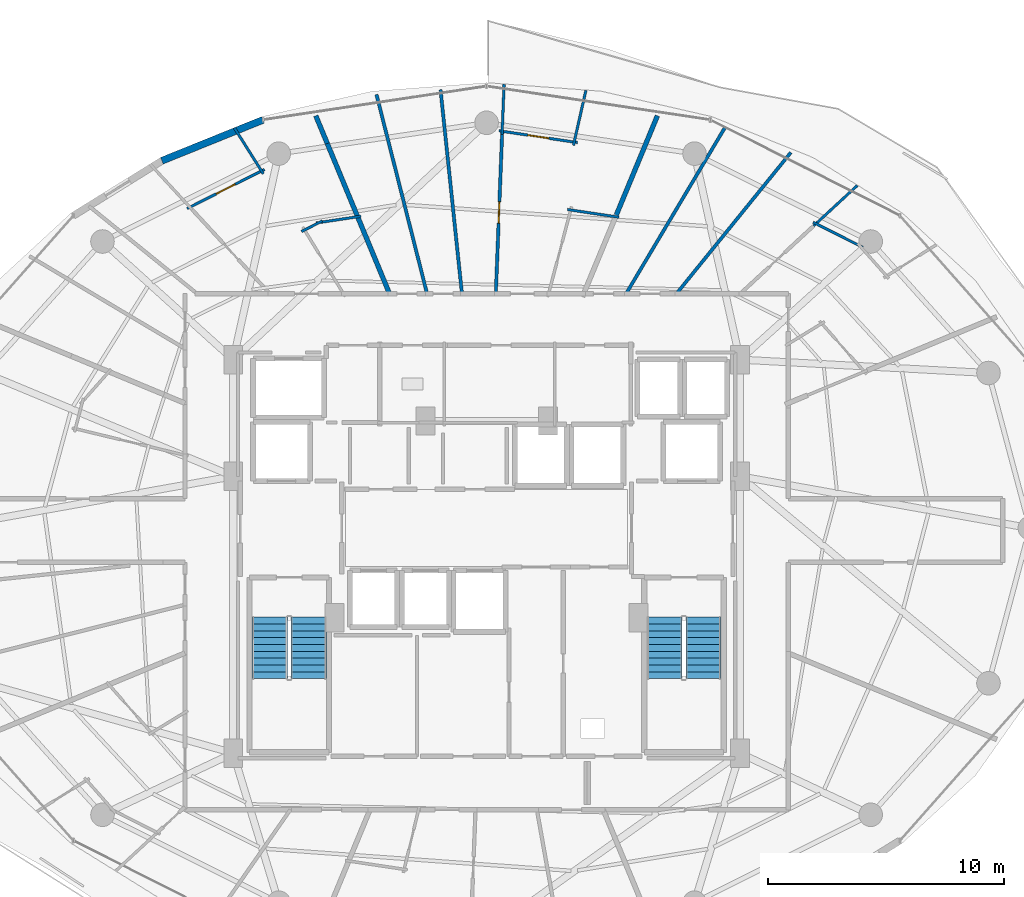
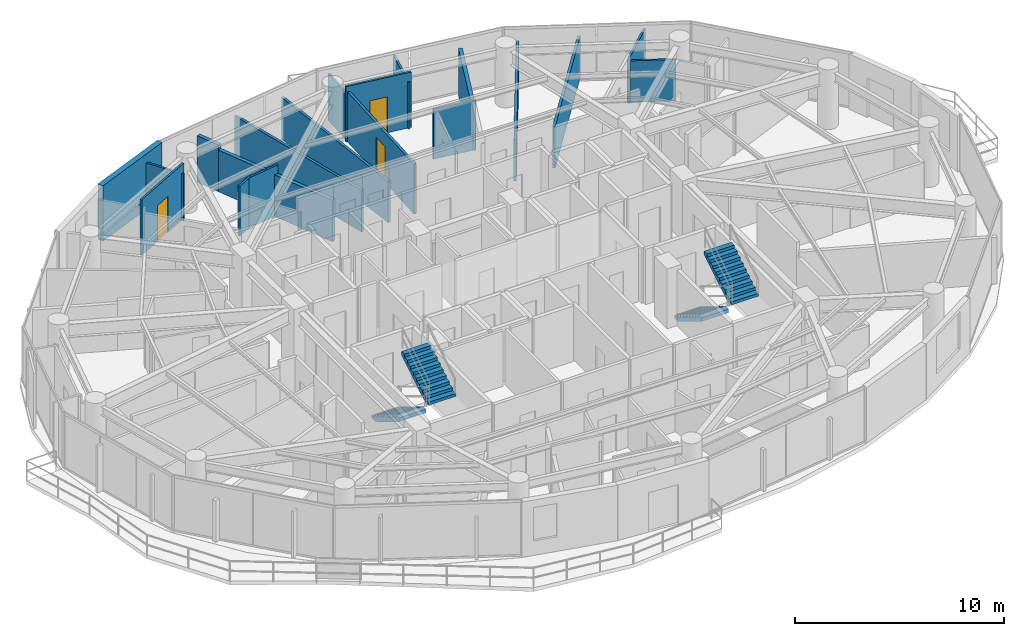
# One storey, part 25 of 28: 19 walls, 4 stair flights, 3 doors, 3 openings, 2 elements without a shape of their own.
"""IFC4 building model written with IfcOpenShell, lengths in metres."""

import ifcopenshell
import ifcopenshell.guid

model = None  # the IFC model being written
_history = None  # IfcOwnerHistory: only IFC2X3 demands one
_inside = {}  # id of a spatial element -> (the spatial element, [elements in it])
_under = {}  # id of a project, library or spatial element -> (it, [spatial elements below it])
_declared = {}  # id of a project -> (the project, [libraries it declares])
_typed = {}  # id of a type object -> (the type object, [elements of that type])
_made_of = {}  # id of a material, layer set ... -> (it, [elements and type objects made of it])


def new_model(schema):
    """Start an empty IFC model of exactly this schema.

    Asked for "IFC4X3", IfcOpenShell would pick the latest addendum, in which some entities
    have other attributes; the version numbers below select the first issue.
    IFC2X3 requires an IfcOwnerHistory on every rooted entity: one is made here for all.
    """
    global model, _history
    if schema == "IFC4X3":
        model = ifcopenshell.file(schema_version=(4, 3, 0, 0))
    else:
        model = ifcopenshell.file(schema=schema)
    _inside.clear()
    _under.clear()
    _declared.clear()
    _typed.clear()
    _made_of.clear()
    _history = None
    if model.schema == "IFC2X3":
        org = make("IfcOrganization", Name="unknown")
        user = make(
            "IfcPersonAndOrganization",
            ThePerson=make("IfcPerson", FamilyName="unknown"),
            TheOrganization=org,
        )
        app = make(
            "IfcApplication",
            ApplicationDeveloper=org,
            Version="unknown",
            ApplicationFullName="unknown",
            ApplicationIdentifier="unknown",
        )
        _history = make(
            "IfcOwnerHistory",
            OwningUser=user,
            OwningApplication=app,
            ChangeAction="ADDED",
            CreationDate=0,
        )
    return model


def make(cls, **values):
    """One entity of the class cls with the attributes given. An attribute that is None is left unset."""
    return model.create_entity(
        cls, **{name: value for name, value in values.items() if value is not None}
    )


def rooted(cls, **values):
    """An entity with a GlobalId (a new one), such as an element, a storey or a relation."""
    return make(cls, GlobalId=ifcopenshell.guid.new(), OwnerHistory=_history, **values)


def si_unit(unit_type, name, prefix=None):
    """IfcSIUnit, for example si_unit("LENGTHUNIT", "METRE", prefix="MILLI")."""
    return make("IfcSIUnit", UnitType=unit_type, Prefix=prefix, Name=name)


def assignment(units):
    """IfcUnitAssignment: the units of a project."""
    return None if units is None else make("IfcUnitAssignment", Units=units)


def point(xyz):
    """IfcCartesianPoint."""
    return None if xyz is None else make("IfcCartesianPoint", Coordinates=xyz)


def direction(xyz):
    """IfcDirection."""
    return None if xyz is None else make("IfcDirection", DirectionRatios=xyz)


def frame(location, z_axis=None, x_axis=None):
    """IfcAxis2Placement3D, a coordinate frame: its origin and axes. An axis left out is left unset."""
    return make(
        "IfcAxis2Placement3D",
        Location=point(location),
        Axis=direction(z_axis),
        RefDirection=direction(x_axis),
    )


def frame_2d(location, x_axis=None):
    """IfcAxis2Placement2D, a coordinate frame in the plane: its origin and x axis."""
    return make(
        "IfcAxis2Placement2D", Location=point(location), RefDirection=direction(x_axis)
    )


def origin():
    """The frame at (0, 0, 0) with its axes left unset."""
    return frame((0.0, 0.0, 0.0))


def place(relative_to, where):
    """IfcLocalPlacement: puts the frame where relative to a parent placement (None: the world)."""
    return make(
        "IfcLocalPlacement", PlacementRelTo=relative_to, RelativePlacement=where
    )


def context(
    kind, dimensions, precision=None, world=None, true_north=None, identifier=None
):
    """IfcGeometricRepresentationContext, for example the 3D "Model" context."""
    return make(
        "IfcGeometricRepresentationContext",
        ContextIdentifier=identifier,
        ContextType=kind,
        CoordinateSpaceDimension=dimensions,
        Precision=precision,
        WorldCoordinateSystem=world,
        TrueNorth=true_north,
    )


def subcontext(parent, identifier, kind, view, scale=None):
    """IfcGeometricRepresentationSubContext, for example "Body" below "Model"."""
    return make(
        "IfcGeometricRepresentationSubContext",
        ContextIdentifier=identifier,
        ContextType=kind,
        ParentContext=parent,
        TargetScale=scale,
        TargetView=view,
    )


def project(units=None, contexts=None):
    """IfcProject with its units and contexts."""
    return rooted(
        "IfcProject",
        Name="project",
        RepresentationContexts=contexts,
        UnitsInContext=assignment(units),
    )


def spatial(cls, under=None, at=None, **own):
    """A site, building, storey or space (cls), placed at a placement, below another one or the project."""
    s = rooted(cls, ObjectPlacement=at, **own)
    if under is not None:
        _under.setdefault(under.id(), (under, []))[1].append(s)
    return s


def polyline(points):
    """IfcPolyline through the points."""
    return make("IfcPolyline", Points=[point(p) for p in points])


def profile(cls, at=None, kind="AREA", **sizes):
    """A parametric profile (cls). Its sizes go by their IFC names, for example OverallWidth=200.0."""
    return make(cls, ProfileType=kind, Position=at, **sizes)


def rectangle(**sizes):
    """IfcRectangleProfileDef."""
    return profile("IfcRectangleProfileDef", **sizes)


def outline(outer, holes=None, kind="AREA"):
    """IfcArbitraryClosedProfileDef: a profile drawn as a closed curve; with holes, ...WithVoids."""
    if holes is None:
        return make("IfcArbitraryClosedProfileDef", ProfileType=kind, OuterCurve=outer)
    return make(
        "IfcArbitraryProfileDefWithVoids",
        ProfileType=kind,
        OuterCurve=outer,
        InnerCurves=holes,
    )


def extrude(swept, where, along, depth):
    """IfcExtrudedAreaSolid: the profile swept, set in the frame where, extruded along a direction by depth."""
    return make(
        "IfcExtrudedAreaSolid",
        SweptArea=swept,
        Position=where,
        ExtrudedDirection=direction(along),
        Depth=depth,
    )


def shape(context_of_items, identifier, shape_type, items):
    """IfcShapeRepresentation: the items that make up one representation, for example the "Body"."""
    return make(
        "IfcShapeRepresentation",
        ContextOfItems=context_of_items,
        RepresentationIdentifier=identifier,
        RepresentationType=shape_type,
        Items=items,
    )


def material(Name=None, Category=None):
    """IfcMaterial."""
    return make("IfcMaterial", Name=Name, Category=Category)


def layer(
    of_material, thickness, ventilated=None, Name=None, Category=None, Priority=None
):
    """IfcMaterialLayer: one layer of a wall or slab, of a material (None: an air gap)."""
    return make(
        "IfcMaterialLayer",
        Material=of_material,
        LayerThickness=thickness,
        IsVentilated=ventilated,
        Name=Name,
        Category=Category,
        Priority=Priority,
    )


def layer_set(layers, Name=None):
    """IfcMaterialLayerSet."""
    return make("IfcMaterialLayerSet", MaterialLayers=layers, LayerSetName=Name)


def made_of(thing, what):
    """Note that an element or type object is made of a material, layer set ...; save() writes the relation."""
    if what is not None:
        _made_of.setdefault(what.id(), (what, []))[1].append(thing)
    return thing


def type_object(cls, material=None, **own):
    """A type object (cls), such as IfcWallType, which elements share."""
    return made_of(rooted(cls, **own), material)


def element(
    cls,
    number,
    at=None,
    inside=None,
    cuts=None,
    type_object=None,
    material=None,
    context=None,
    identifier="Body",
    shape_type=None,
    held_by="IfcProductDefinitionShape",
    body=None,
    shapes=None,
    **own,
):
    """One element of the class cls, such as IfcWall. Its Tag is "e" and its number.

    at: its placement. inside: the storey or other place that contains it. cuts: it is an
    opening in that element (IfcRelVoidsElement). A single representation is given by context,
    identifier, shape_type and body (its items); several are given by shapes. held_by: the class
    of the entity that holds the representations. save() writes the other relations.
    """
    e = rooted(cls, Tag="e%d" % number, ObjectPlacement=at, **own)
    if body is not None:
        shapes = [shape(context, identifier, shape_type, body)]
    if shapes is not None:
        e.Representation = make(held_by, Representations=shapes)
    if inside is not None:
        _inside.setdefault(inside.id(), (inside, []))[1].append(e)
    if cuts is not None:
        rooted(
            "IfcRelVoidsElement", RelatingBuildingElement=cuts, RelatedOpeningElement=e
        )
    if type_object is not None:
        _typed.setdefault(type_object.id(), (type_object, []))[1].append(e)
    return made_of(e, material)


def fill(opening, filler):
    """IfcRelFillsElement: the door or window that sits in an opening."""
    return rooted(
        "IfcRelFillsElement",
        RelatingOpeningElement=opening,
        RelatedBuildingElement=filler,
    )


def aggregate(whole, parts):
    """IfcRelAggregates: a whole, such as a stair, and the parts it consists of."""
    return rooted("IfcRelAggregates", RelatingObject=whole, RelatedObjects=parts)


def save(model, path):
    """Write the relations noted so far, then the file.

    IfcRelAggregates (storeys below a building ...), IfcRelContainedInSpatialStructure (elements
    in a storey), IfcRelDefinesByType, IfcRelAssociatesMaterial and IfcRelDeclares: one each for
    every whole, place, type object, material and project.
    """
    for whole, parts in _under.values():
        aggregate(whole, parts)
    for where, things in _inside.values():
        rooted(
            "IfcRelContainedInSpatialStructure",
            RelatedElements=things,
            RelatingStructure=where,
        )
    for kind, things in _typed.values():
        rooted("IfcRelDefinesByType", RelatedObjects=things, RelatingType=kind)
    for what, things in _made_of.values():
        rooted("IfcRelAssociatesMaterial", RelatedObjects=things, RelatingMaterial=what)
    for by, libraries in _declared.values():
        rooted("IfcRelDeclares", RelatingContext=by, RelatedDefinitions=libraries)
    model.write(path)


model = new_model("IFC4")

# Units and contexts
model_context = context("Model", 3, precision=1e-05, world=origin(), true_north=direction((0.0, 1.0)))
body_context = subcontext(model_context, "Body", "Model", "MODEL_VIEW")
ifc_project = project(units=[si_unit("LENGTHUNIT", "METRE"), si_unit("AREAUNIT", "SQUARE_METRE"), si_unit("VOLUMEUNIT", "CUBIC_METRE"), si_unit("PLANEANGLEUNIT", "RADIAN"), si_unit("MASSUNIT", "GRAM", prefix="KILO")], contexts=[model_context])

# Site, building, storey
site_placement = place(None, origin())
site = spatial("IfcSite", under=ifc_project, at=site_placement, CompositionType="ELEMENT")
building_placement = place(site_placement, origin())
building = spatial("IfcBuilding", under=site, at=building_placement, Name="Vorneva Point Tower", CompositionType="ELEMENT")
storey_placement = place(building_placement, frame((0.0, 0.0, 143.10009765625)))
storey = spatial("IfcBuildingStorey", under=building, at=storey_placement, Name="L38", CompositionType="ELEMENT", Elevation=143.10009765625)

# Walls
ifc_material_1 = material(Name="Precast concrete B50 (C40/50)", Category="concrete")
ifc_layer_1 = layer(ifc_material_1, 0.300048828125)
ifc_layer_set_1 = layer_set([ifc_layer_1], Name="Precast concrete B50 (C40/50)")
wall_type_1 = type_object("IfcWallType", Name="WL-EXT-300", PredefinedType="STANDARD", material=ifc_layer_set_1)
wall_1_placement = place(storey_placement, frame((28.509521484375, 43.32275390625, 0.0), z_axis=(0.0, 0.0, 1.0), x_axis=(-0.927156504392, -0.374674280359, 0.0)))
element("IfcWall", 1, at=wall_1_placement, inside=storey, type_object=wall_type_1, Name="L38 Pale-Metal Facade Spandrel Wall 06.1", PredefinedType="STANDARD", context=body_context, shape_type="SweptSolid", body=[
    extrude(rectangle(XDim=4.62451171875, YDim=0.300048828125, at=frame_2d((2.312255859375, 0.0))), origin(), (0.0, 0.0, 1.0), 3.239990234375),
])
ifc_material_2 = material(Name="Fire-rated acoustic gypsum stud partition", Category="gypsum")
ifc_layer_2 = layer(ifc_material_2, 0.110107421875)
ifc_layer_set_2 = layer_set([ifc_layer_2], Name="Fire-rated acoustic gypsum stud partition")
wall_type_2 = type_object("IfcWallType", Name="WL-PART-110", PredefinedType="PARTITIONING", material=ifc_layer_set_2)
wall_2_placement = place(storey_placement, frame((53.964111328125, 37.914794921875, 0.0), z_axis=(0.0, 0.0, 1.0), x_axis=(-0.89250004606, 0.451047301049, 0.0)))
element("IfcWall", 2, at=wall_2_placement, inside=storey, type_object=wall_type_2, Name="L38 Interior Partition 072", PredefinedType="PARTITIONING", context=body_context, shape_type="SweptSolid", body=[
    extrude(rectangle(XDim=2.366455078125, YDim=0.110107421875, at=frame_2d((1.18310546875, 0.0))), origin(), (0.0, 0.0, 1.0), 2.431884765625),
])
wall_3_placement = place(storey_placement, frame((51.874267578125, 38.823974609375, 0.0), z_axis=(0.0, 0.0, 1.0), x_axis=(0.734191073284, 0.678942904749, 0.0)))
element("IfcWall", 3, at=wall_3_placement, inside=storey, type_object=wall_type_2, Name="L38 Interior Partition 073", PredefinedType="PARTITIONING", context=body_context, shape_type="SweptSolid", body=[
    extrude(rectangle(XDim=2.523193359375, YDim=0.110107421875, at=frame_2d((1.26171875, 0.0))), origin(), (0.0, 0.0, 1.0), 2.727783203125),
])
wall_4_placement = place(storey_placement, frame((41.4296875, 39.519775390625, 0.0), z_axis=(0.0, 0.0, 1.0), x_axis=(0.98891036234, -0.148513619769, 0.0)))
element("IfcWall", 4, at=wall_4_placement, inside=storey, type_object=wall_type_2, Name="L38 Interior Partition 083", PredefinedType="PARTITIONING", context=body_context, shape_type="SweptSolid", body=[
    extrude(rectangle(XDim=2.2060546875, YDim=0.110107421875, at=frame_2d((1.10302734375, 0.0))), origin(), (0.0, 0.0, 1.0), 2.921875),
])
wall_5_placement = place(storey_placement, frame((42.212890625, 44.574462890625, 0.0), z_axis=(0.0, 0.0, 1.0), x_axis=(-0.220932027223, -0.975289208054, 0.0)))
element("IfcWall", 5, at=wall_5_placement, inside=storey, type_object=wall_type_2, Name="L38 Interior Partition 084", PredefinedType="PARTITIONING", context=body_context, shape_type="SweptSolid", body=[
    extrude(rectangle(XDim=2.38916015625, YDim=0.110107421875, at=frame_2d((1.194580078125, 0.0))), origin(), (0.0, 0.0, 1.0), 2.727783203125),
])

# Wall, opening, door
wall_6_placement = place(storey_placement, frame((41.8544921875, 42.360107421875, 0.0), z_axis=(0.0, 0.0, 1.0), x_axis=(-0.988887919082, 0.148662986296, 0.0)))
wall_6 = element("IfcWall", 6, at=wall_6_placement, inside=storey, type_object=wall_type_2, Name="L38 Interior Partition 085", PredefinedType="PARTITIONING", context=body_context, shape_type="SweptSolid", body=[
    extrude(rectangle(XDim=3.3681640625, YDim=0.110107421875, at=frame_2d((1.68408203125, 0.0))), origin(), (0.0, 0.0, 1.0), 3.239990234375),
])
opening_1_placement = place(wall_6_placement, frame((1.234130859375, 0.0, 0.0)))
opening_1 = element("IfcOpeningElement", 7, at=opening_1_placement, cuts=wall_6, Name="Opening ID-01", PredefinedType="OPENING", context=body_context, shape_type="SweptSolid", body=[
    extrude(rectangle(XDim=0.89990234375, YDim=2.10009765625, at=frame_2d((0.449951171875, 1.050048828125))), frame((0.0, 0.06982421875, 0.0), z_axis=(0.0, -1.0, 0.0), x_axis=(1.0, 0.0, 0.0)), (0.0, 0.0, 1.0), 0.139892578125),
])
ifc_material_3 = material(Name="Engineered oak fire-rated door leaf", Category="wood")
door_type = type_object("IfcDoorType", Name="DR-ROOM-900", OperationType="NOTDEFINED", PredefinedType="DOOR", material=ifc_material_3)
door_1_placement = place(opening_1_placement, origin())
door_1 = element("IfcDoor", 8, at=door_1_placement, inside=storey, type_object=door_type, Name="L38 Door Living and Dining Room L38-02 / Kitchen L38-02", OperationType="SINGLE_SWING_RIGHT", OverallHeight=2.10009765625, OverallWidth=0.89990234375, PredefinedType="DOOR", context=body_context, shape_type="SweptSolid", body=[
    extrude(rectangle(XDim=0.89990234375, YDim=2.10009765625, at=frame_2d((0.449951171875, 1.050048828125))), frame((0.0, 0.02490234375, 0.0), z_axis=(0.0, -1.0, 0.0), x_axis=(1.0, 0.0, 0.0)), (0.0, 0.0, 1.0), 0.050048828125),
])
fill(opening_1, door_1)

# Walls
wall_7_placement = place(storey_placement, frame((38.740478515625, 44.8349609375, 0.0), z_axis=(0.0, 0.0, 1.0), x_axis=(-0.039310852952, -0.999227029679, 0.0)))
element("IfcWall", 9, at=wall_7_placement, inside=storey, type_object=wall_type_2, Name="L38 Interior Partition 087", PredefinedType="PARTITIONING", context=body_context, shape_type="SweptSolid", body=[
    extrude(rectangle(XDim=2.136474609375, YDim=0.110107421875, at=frame_2d((1.068359375, 0.0))), origin(), (0.0, 0.0, 1.0), 2.727783203125),
])
wall_8_placement = place(storey_placement, frame((30.149169921875, 38.588623046875, 0.0), z_axis=(0.0, 0.0, 1.0), x_axis=(0.891868081409, 0.452295617229, 0.0)))
element("IfcWall", 10, at=wall_8_placement, inside=storey, type_object=wall_type_2, Name="L38 Interior Partition 093", PredefinedType="PARTITIONING", context=body_context, shape_type="SweptSolid", body=[
    extrude(rectangle(XDim=0.978515625, YDim=0.110107421875, at=frame_2d((0.4892578125, 0.0))), origin(), (0.0, 0.0, 1.0), 2.921875),
])
wall_9_placement = place(storey_placement, frame((30.758544921875, 38.947265625, 0.0), z_axis=(0.0, 0.0, 1.0), x_axis=(0.988889867338, 0.148650026153, 0.0)))
element("IfcWall", 11, at=wall_9_placement, inside=storey, type_object=wall_type_2, Name="L38 Interior Partition 094", PredefinedType="PARTITIONING", context=body_context, shape_type="SweptSolid", body=[
    extrude(rectangle(XDim=1.92822265625, YDim=0.110107421875, at=frame_2d((0.964111328125, 0.0))), origin(), (0.0, 0.0, 1.0), 2.921875),
])

# Wall, opening, door
wall_10_placement = place(storey_placement, frame((28.573974609375, 41.21923828125, 0.0), z_axis=(0.0, 0.0, 1.0), x_axis=(-0.892470920122, -0.451104928744, 0.0)))
wall_10 = element("IfcWall", 12, at=wall_10_placement, inside=storey, type_object=wall_type_2, Name="L38 Interior Partition 095", PredefinedType="PARTITIONING", context=body_context, shape_type="SweptSolid", body=[
    extrude(rectangle(XDim=3.68505859375, YDim=0.110107421875, at=frame_2d((1.842529296875, 0.0))), origin(), (0.0, 0.0, 1.0), 3.239990234375),
])
opening_2_placement = place(wall_10_placement, frame((1.392578125, 0.0, 0.0)))
opening_2 = element("IfcOpeningElement", 13, at=opening_2_placement, cuts=wall_10, Name="Opening ID-01", PredefinedType="OPENING", context=body_context, shape_type="SweptSolid", body=[
    extrude(rectangle(XDim=0.89990234375, YDim=2.10009765625, at=frame_2d((0.449951171875, 1.050048828125))), frame((0.0, 0.06982421875, 0.0), z_axis=(0.0, -1.0, 0.0), x_axis=(1.0, 0.0, 0.0)), (0.0, 0.0, 1.0), 0.139892578125),
])
door_2_placement = place(opening_2_placement, origin())
door_2 = element("IfcDoor", 14, at=door_2_placement, inside=storey, type_object=door_type, Name="L38 Door Living and Dining Room L38-03 / Kitchen L38-03", OperationType="SINGLE_SWING_LEFT", OverallHeight=2.10009765625, OverallWidth=0.89990234375, PredefinedType="DOOR", context=body_context, shape_type="SweptSolid", body=[
    extrude(rectangle(XDim=0.89990234375, YDim=2.10009765625, at=frame_2d((0.449951171875, 1.050048828125))), frame((0.0, 0.02490234375, 0.0), z_axis=(0.0, -1.0, 0.0), x_axis=(1.0, 0.0, 0.0)), (0.0, 0.0, 1.0), 0.050048828125),
])
fill(opening_2, door_2)

# Walls
wall_11_placement = place(storey_placement, frame((27.29833984375, 42.9814453125, 0.0), z_axis=(0.0, 0.0, 1.0), x_axis=(0.533261254764, -0.845950609769, 0.0)))
element("IfcWall", 15, at=wall_11_placement, inside=storey, type_object=wall_type_2, Name="L38 Interior Partition 097", PredefinedType="PARTITIONING", context=body_context, shape_type="SweptSolid", body=[
    extrude(rectangle(XDim=2.2978515625, YDim=0.110107421875, at=frame_2d((1.14892578125, 0.0))), origin(), (0.0, 0.0, 1.0), 2.727783203125),
])
ifc_layer_3 = layer(ifc_material_2, 0.139892578125)
ifc_layer_set_3 = layer_set([ifc_layer_3], Name="Fire-rated acoustic gypsum stud partition")
wall_type_3 = type_object("IfcWallType", Name="WL-PART-140", PredefinedType="PARTITIONING", material=ifc_layer_set_3)
wall_12_placement = place(storey_placement, frame((50.907958984375, 41.93994140625, 0.0), z_axis=(0.0, 0.0, 1.0), x_axis=(-0.62935766896, -0.77711577292, 0.0)))
element("IfcWall", 16, at=wall_12_placement, inside=storey, type_object=wall_type_3, Name="L38 Interior Partition 078", PredefinedType="PARTITIONING", context=body_context, shape_type="SweptSolid", body=[
    extrude(rectangle(XDim=7.7080078125, YDim=0.139892578125, at=frame_2d((3.85400390625, 0.0))), origin(), (0.0, 0.0, 1.0), 2.431884765625),
])
wall_13_placement = place(storey_placement, frame((48.14794921875, 43.056884765625, 0.0), z_axis=(0.0, 0.0, 1.0), x_axis=(-0.511279346901, -0.859414585304, 0.0)))
element("IfcWall", 17, at=wall_13_placement, inside=storey, type_object=wall_type_3, Name="L38 Interior Partition 079", PredefinedType="PARTITIONING", context=body_context, shape_type="SweptSolid", body=[
    extrude(rectangle(XDim=8.26953125, YDim=0.139892578125, at=frame_2d((4.134765625, 0.0))), origin(), (0.0, 0.0, 1.0), 2.431884765625),
])

# Wall, opening, door
wall_14_placement = place(storey_placement, frame((38.662109375, 42.840087890625, 0.0), z_axis=(0.0, 0.0, 1.0), x_axis=(-0.039300632457, -0.999227431713, 0.0)))
wall_14 = element("IfcWall", 18, at=wall_14_placement, inside=storey, type_object=wall_type_3, Name="L38 Interior Partition 086", PredefinedType="PARTITIONING", context=body_context, shape_type="SweptSolid", body=[
    extrude(rectangle(XDim=6.8955078125, YDim=0.139892578125, at=frame_2d((3.44775390625, 0.0))), origin(), (0.0, 0.0, 1.0), 2.921875),
])
opening_3_placement = place(wall_14_placement, frame((2.997802734375, 0.0, 0.0)))
opening_3 = element("IfcOpeningElement", 19, at=opening_3_placement, cuts=wall_14, Name="Opening ID-01", PredefinedType="OPENING", context=body_context, shape_type="SweptSolid", body=[
    extrude(rectangle(XDim=0.89990234375, YDim=2.10009765625, at=frame_2d((0.449951171875, 1.050048828125))), frame((0.0, 0.0849609375, 0.0), z_axis=(0.0, -1.0, 0.0), x_axis=(1.0, 0.0, 0.0)), (0.0, 0.0, 1.0), 0.169677734375),
])
door_3_placement = place(opening_3_placement, origin())
door_3 = element("IfcDoor", 20, at=door_3_placement, inside=storey, type_object=door_type, Name="L38 Door Living and Dining Room L38-02 / Master Bedroom L38-02.1", OperationType="SINGLE_SWING_LEFT", OverallHeight=2.10009765625, OverallWidth=0.89990234375, PredefinedType="DOOR", context=body_context, shape_type="SweptSolid", body=[
    extrude(rectangle(XDim=0.89990234375, YDim=2.10009765625, at=frame_2d((0.449951171875, 1.050048828125))), frame((0.0, 0.02490234375, 0.0), z_axis=(0.0, -1.0, 0.0), x_axis=(1.0, 0.0, 0.0)), (0.0, 0.0, 1.0), 0.050048828125),
])
fill(opening_3, door_3)

# Walls
wall_15_placement = place(storey_placement, frame((36.044921875, 44.60400390625, 0.0), z_axis=(0.0, 0.0, 1.0), x_axis=(0.104483235172, -0.994526647993, 0.0)))
element("IfcWall", 21, at=wall_15_placement, inside=storey, type_object=wall_type_3, Name="L38 Interior Partition 088", PredefinedType="PARTITIONING", context=body_context, shape_type="SweptSolid", body=[
    extrude(rectangle(XDim=8.70166015625, YDim=0.139892578125, at=frame_2d((4.350830078125, 0.0))), origin(), (0.0, 0.0, 1.0), 2.431884765625),
])
wall_16_placement = place(storey_placement, frame((33.326904296875, 44.40087890625, 0.0), z_axis=(0.0, 0.0, 1.0), x_axis=(0.246124619458, -0.969238191415, 0.0)))
element("IfcWall", 22, at=wall_16_placement, inside=storey, type_object=wall_type_3, Name="L38 Interior Partition 089", PredefinedType="PARTITIONING", context=body_context, shape_type="SweptSolid", body=[
    extrude(rectangle(XDim=8.71923828125, YDim=0.139892578125, at=frame_2d((4.359619140625, 0.0))), origin(), (0.0, 0.0, 1.0), 2.431884765625),
])
ifc_material_4 = material(Name="Autoclaved aerated concrete blockwork", Category="masonry")
ifc_layer_4 = layer(ifc_material_4, 0.199951171875)
ifc_layer_set_4 = layer_set([ifc_layer_4], Name="Autoclaved aerated concrete blockwork")
wall_type_4 = type_object("IfcWallType", Name="WL-PART-200", PredefinedType="PARTITIONING", material=ifc_layer_set_4)
wall_17_placement = place(storey_placement, frame((45.248046875, 43.4990234375, 0.0), z_axis=(0.0, 0.0, 1.0), x_axis=(-0.382708032219, -0.923869342535, 0.0)))
element("IfcWall", 23, at=wall_17_placement, inside=storey, type_object=wall_type_4, Name="L38 Interior Partition 080", PredefinedType="PARTITIONING", context=body_context, shape_type="SweptSolid", body=[
    extrude(rectangle(XDim=4.700927734375, YDim=0.199951171875, at=frame_2d((2.3505859375, 0.0))), origin(), (0.0, 0.0, 1.0), 2.727783203125),
])
wall_18_placement = place(storey_placement, frame((30.751953125, 43.4990234375, 0.0), z_axis=(0.0, 0.0, 1.0), x_axis=(0.382752000821, -0.923851127546, 0.0)))
element("IfcWall", 24, at=wall_18_placement, inside=storey, type_object=wall_type_4, Name="L38 Interior Partition 090", PredefinedType="PARTITIONING", context=body_context, shape_type="SweptSolid", body=[
    extrude(rectangle(XDim=1.275146484375, YDim=0.199951171875, at=frame_2d((0.6376953125, 0.0))), origin(), (0.0, 0.0, 1.0), 2.727783203125),
])
wall_19_placement = place(storey_placement, frame((31.239990234375, 42.321044921875, 0.0), z_axis=(0.0, 0.0, 1.0), x_axis=(0.382673849319, -0.923883501881, 0.0)))
element("IfcWall", 25, at=wall_19_placement, inside=storey, type_object=wall_type_4, Name="L38 Interior Partition 091", PredefinedType="PARTITIONING", context=body_context, shape_type="SweptSolid", body=[
    extrude(rectangle(XDim=6.89599609375, YDim=0.199951171875, at=frame_2d((3.447998046875, 0.0))), origin(), (0.0, 0.0, 1.0), 2.431884765625),
])

# Stair, stair flights
ifc_material_5 = material(Name="Concrete B50 (C40/50)", Category="concrete")
stair_type = type_object("IfcStairType", Name="ST-DOG-1500", PredefinedType="HALF_TURN_STAIR", material=ifc_material_5)
stair_1_placement = place(storey_placement, origin())
stair_1 = element("IfcStair", 26, at=stair_1_placement, inside=storey, type_object=stair_type, Name="L38 ST1", PredefinedType="HALF_TURN_STAIR")
stair_flight_type = type_object("IfcStairFlightType", Name="STF-1500", PredefinedType="STRAIGHT", material=ifc_material_5)
stair_flight_1_placement = place(storey_placement, frame((28.800048828125, 22.219970703125, 0.0), z_axis=(0.0, 0.0, 1.0), x_axis=(0.0, -1.0, 0.0)))
stair_flight_1 = element("IfcStairFlight", 27, at=stair_flight_1_placement, type_object=stair_flight_type, Name="ST1 flight 1", NumberOfRisers=10, NumberOfTreads=9, PredefinedType="STRAIGHT", RiserHeight=0.175, TreadLength=0.29, context=body_context, shape_type="SweptSolid", body=[
    extrude(outline(polyline([(0.0, 0.0), (0.0, 0.175048828125), (0.2900390625, 0.175048828125), (0.2900390625, 0.35009765625), (0.580078125, 0.35009765625), (0.580078125, 0.52490234375), (0.8701171875, 0.52490234375), (0.8701171875, 0.699951171875), (1.159912109375, 0.699951171875), (1.159912109375, 0.875), (1.449951171875, 0.875), (1.449951171875, 1.050048828125), (1.739990234375, 1.050048828125), (1.739990234375, 1.22509765625), (2.030029296875, 1.22509765625), (2.030029296875, 1.39990234375), (2.320068359375, 1.39990234375), (2.320068359375, 1.574951171875), (2.610107421875, 1.574951171875), (2.610107421875, 1.75), (2.610107421875, 1.36474609375), (0.34814453125, 0.0), (0.0, 0.0)])), frame((0.0, 0.75, 0.0), z_axis=(0.0, -1.0, 0.0), x_axis=(1.0, 0.0, 0.0)), (0.0, 0.0, 1.0), 1.5),
])
stair_flight_2_placement = place(storey_placement, frame((30.449951171875, 19.610107421875, 1.75), z_axis=(0.0, 0.0, 1.0), x_axis=(0.0, 1.0, 0.0)))
stair_flight_2 = element("IfcStairFlight", 28, at=stair_flight_2_placement, type_object=stair_flight_type, Name="ST1 flight 2", NumberOfRisers=10, NumberOfTreads=9, PredefinedType="STRAIGHT", RiserHeight=0.175, TreadLength=0.29, context=body_context, shape_type="SweptSolid", body=[
    extrude(outline(polyline([(0.0, 0.0), (0.0, 0.175048828125), (0.2900390625, 0.175048828125), (0.2900390625, 0.35009765625), (0.580078125, 0.35009765625), (0.580078125, 0.52490234375), (0.8701171875, 0.52490234375), (0.8701171875, 0.699951171875), (1.159912109375, 0.699951171875), (1.159912109375, 0.875), (1.449951171875, 0.875), (1.449951171875, 1.050048828125), (1.739990234375, 1.050048828125), (1.739990234375, 1.22509765625), (2.030029296875, 1.22509765625), (2.030029296875, 1.39990234375), (2.320068359375, 1.39990234375), (2.320068359375, 1.574951171875), (2.610107421875, 1.574951171875), (2.610107421875, 1.75), (2.610107421875, 1.36474609375), (0.34814453125, 0.0), (0.0, 0.0)])), frame((0.0, 0.75, 0.0), z_axis=(0.0, -1.0, 0.0), x_axis=(1.0, 0.0, 0.0)), (0.0, 0.0, 1.0), 1.5),
])
aggregate(stair_1, [stair_flight_1, stair_flight_2])

stair_2_placement = place(storey_placement, origin())
stair_2 = element("IfcStair", 29, at=stair_2_placement, inside=storey, type_object=stair_type, Name="L38 ST2", PredefinedType="HALF_TURN_STAIR")
stair_flight_3_placement = place(storey_placement, frame((45.550048828125, 22.219970703125, 0.0), z_axis=(0.0, 0.0, 1.0), x_axis=(0.0, -1.0, 0.0)))
stair_flight_3 = element("IfcStairFlight", 30, at=stair_flight_3_placement, type_object=stair_flight_type, Name="ST2 flight 1", NumberOfRisers=10, NumberOfTreads=9, PredefinedType="STRAIGHT", RiserHeight=0.175, TreadLength=0.29, context=body_context, shape_type="SweptSolid", body=[
    extrude(outline(polyline([(0.0, 0.0), (0.0, 0.175048828125), (0.2900390625, 0.175048828125), (0.2900390625, 0.35009765625), (0.580078125, 0.35009765625), (0.580078125, 0.52490234375), (0.8701171875, 0.52490234375), (0.8701171875, 0.699951171875), (1.159912109375, 0.699951171875), (1.159912109375, 0.875), (1.449951171875, 0.875), (1.449951171875, 1.050048828125), (1.739990234375, 1.050048828125), (1.739990234375, 1.22509765625), (2.030029296875, 1.22509765625), (2.030029296875, 1.39990234375), (2.320068359375, 1.39990234375), (2.320068359375, 1.574951171875), (2.610107421875, 1.574951171875), (2.610107421875, 1.75), (2.610107421875, 1.36474609375), (0.34814453125, 0.0), (0.0, 0.0)])), frame((0.0, 0.75, 0.0), z_axis=(0.0, -1.0, 0.0), x_axis=(1.0, 0.0, 0.0)), (0.0, 0.0, 1.0), 1.5),
])
stair_flight_4_placement = place(storey_placement, frame((47.199951171875, 19.610107421875, 1.75), z_axis=(0.0, 0.0, 1.0), x_axis=(0.0, 1.0, 0.0)))
stair_flight_4 = element("IfcStairFlight", 31, at=stair_flight_4_placement, type_object=stair_flight_type, Name="ST2 flight 2", NumberOfRisers=10, NumberOfTreads=9, PredefinedType="STRAIGHT", RiserHeight=0.175, TreadLength=0.29, context=body_context, shape_type="SweptSolid", body=[
    extrude(outline(polyline([(0.0, 0.0), (0.0, 0.175048828125), (0.2900390625, 0.175048828125), (0.2900390625, 0.35009765625), (0.580078125, 0.35009765625), (0.580078125, 0.52490234375), (0.8701171875, 0.52490234375), (0.8701171875, 0.699951171875), (1.159912109375, 0.699951171875), (1.159912109375, 0.875), (1.449951171875, 0.875), (1.449951171875, 1.050048828125), (1.739990234375, 1.050048828125), (1.739990234375, 1.22509765625), (2.030029296875, 1.22509765625), (2.030029296875, 1.39990234375), (2.320068359375, 1.39990234375), (2.320068359375, 1.574951171875), (2.610107421875, 1.574951171875), (2.610107421875, 1.75), (2.610107421875, 1.36474609375), (0.34814453125, 0.0), (0.0, 0.0)])), frame((0.0, 0.75, 0.0), z_axis=(0.0, -1.0, 0.0), x_axis=(1.0, 0.0, 0.0)), (0.0, 0.0, 1.0), 1.5),
])
aggregate(stair_2, [stair_flight_3, stair_flight_4])

save(model, "model.ifc")
